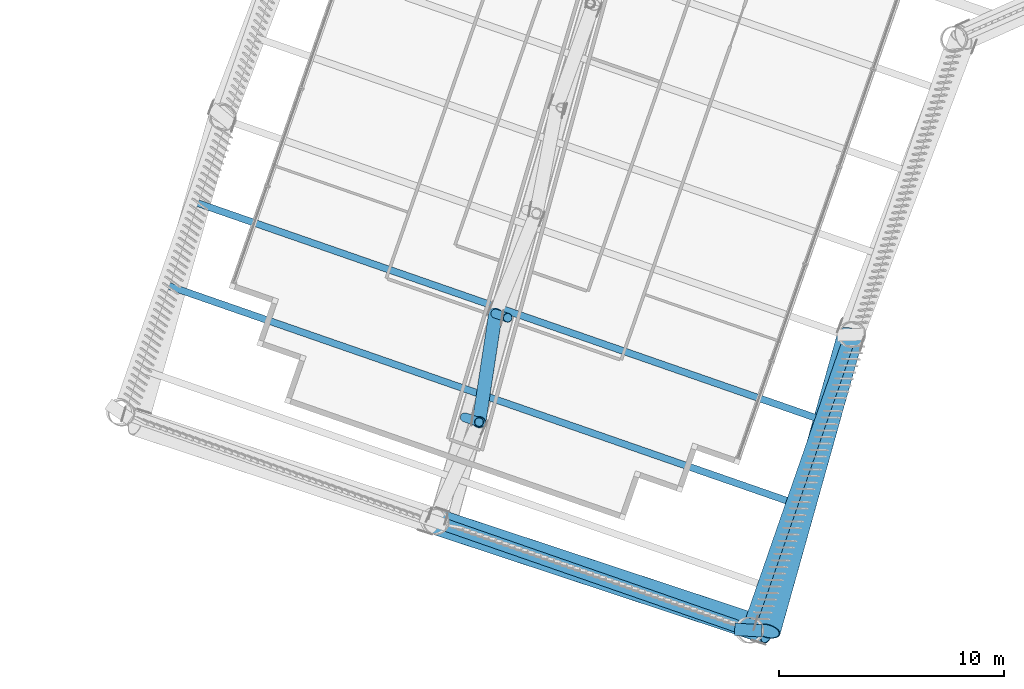
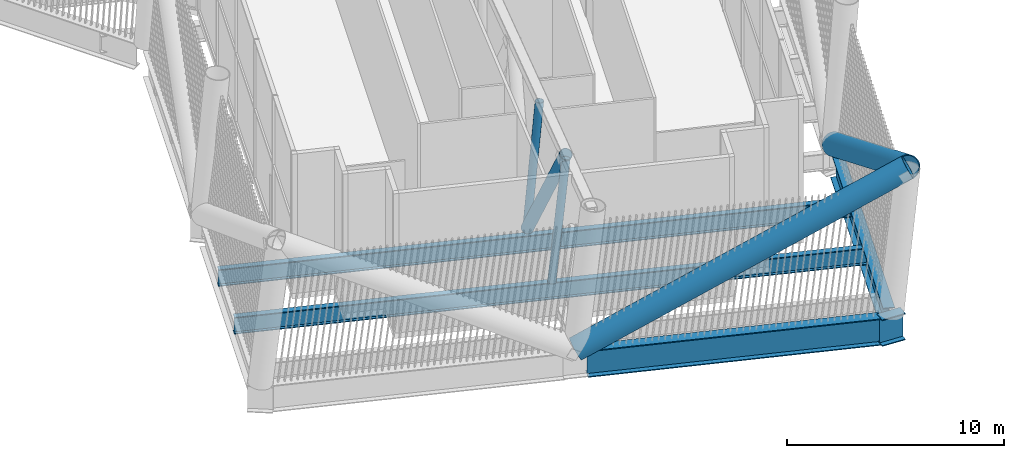
# One storey, part 4 of 63: 5 beams, 5 members.
"""IFC4 building model written with IfcOpenShell, lengths in metres."""

from ifc_helpers import new_model, si_unit, direction, frame, origin, origin_2d, place, context, subcontext, project, spatial, hollow_circle, i_section, extrude, material, material_profile, profile_set, type_object, element, save


model = new_model("IFC4")

# Units and contexts
model_context = context("Model", 3, precision=1e-05, world=origin(), true_north=direction((0.0, 1.0)))
body_context = subcontext(model_context, "Body", "Model", "MODEL_VIEW")
ifc_project = project(units=[si_unit("LENGTHUNIT", "METRE"), si_unit("AREAUNIT", "SQUARE_METRE"), si_unit("VOLUMEUNIT", "CUBIC_METRE"), si_unit("PLANEANGLEUNIT", "RADIAN"), si_unit("MASSUNIT", "GRAM", prefix="KILO")], contexts=[model_context])

# Site, building, storey
site_placement = place(None, origin())
site = spatial("IfcSite", under=ifc_project, at=site_placement, CompositionType="ELEMENT")
building_placement = place(site_placement, origin())
building = spatial("IfcBuilding", under=site, at=building_placement, Name="Tarsis Ring Headquarters", CompositionType="ELEMENT")
storey_placement = place(building_placement, frame((0.0, 0.0, 139.60009765625)))
storey = spatial("IfcBuildingStorey", under=building, at=storey_placement, Name="L32", CompositionType="ELEMENT", Elevation=139.60009765625)

# Beams
ifc_material = material(Name="Structural steel S355", Category="steel")
ifc_material_profile_1 = material_profile(ifc_material, i_section(OverallWidth=0.309814453125, OverallDepth=0.949951171875, WebThickness=0.0244140625, FlangeThickness=0.0439453125, at=origin_2d()), Name="W36x256")
ifc_profile_set_1 = profile_set([ifc_material_profile_1], Name="Structural steel S355")
beam_type_1 = type_object("IfcBeamType", Name="FB Floor beam W36x256", PredefinedType="JOIST", material=ifc_profile_set_1)
for number, where, z_axis, x_axis, name in (
    (1, (-28.140625, -35.63818359375, -0.775146484375), (0.94460616268, -0.328206028933, 0.0), (0.328206028933, 0.94460616268, 0.0), "Floor beam FB11"),
    (2, (-29.420654296875, -39.322265625, -0.775146484375), (0.94460616268, -0.328206028933, 0.0), (0.328206028933, 0.94460616268, 0.0), "Floor beam FB11"),
):
    element("IfcBeam", number, at=place(storey_placement, frame(where, z_axis=z_axis, x_axis=x_axis)), inside=storey, type_object=beam_type_1, Name=name, PredefinedType="JOIST", context=body_context, shape_type="SweptSolid", body=[
        extrude(i_section(OverallWidth=0.309814453125, OverallDepth=0.949951171875, WebThickness=0.0244140625, FlangeThickness=0.0439453125, at=origin_2d()), origin(), (0.0, 0.0, 1.0), 29.770263671875),
    ])

# Members
ifc_material_profile_2 = material_profile(ifc_material, hollow_circle(Radius=0.3046875, WallThickness=0.02490234375, at=origin_2d()), Name="CHS 610x25")
ifc_profile_set_2 = profile_set([ifc_material_profile_2], Name="Structural steel S355")
member_type_1 = type_object("IfcMemberType", Name="OD Outrigger diagonal CHS 610x25", PredefinedType="BRACE", material=ifc_profile_set_2)
member_1_placement = place(storey_placement, frame((-14.578369140625, -40.662841796875, 0.25390625), z_axis=(-0.083218529745, -0.547712095505, 0.832517949803), x_axis=(0.988653433387, -0.150214475505, 0.0)))
element("IfcMember", 3, at=member_1_placement, inside=storey, type_object=member_type_1, Name="Outrigger diagonal OD1", PredefinedType="BRACE", context=body_context, shape_type="SweptSolid", body=[
    extrude(hollow_circle(Radius=0.3046875, WallThickness=0.02490234375, at=origin_2d()), origin(), (0.0, 0.0, 1.0), 8.80712890625),
])
ifc_material_profile_3 = material_profile(ifc_material, hollow_circle(Radius=0.203125, WallThickness=0.01611328125, at=origin_2d()), Name="CHS 406x16")
ifc_profile_set_3 = profile_set([ifc_material_profile_3], Name="Structural steel S355")
member_type_2 = type_object("IfcMemberType", Name="OV Outrigger post CHS 406x16", PredefinedType="STRUT", material=ifc_profile_set_3)
member_2_placement = place(storey_placement, frame((-14.578369140625, -40.662841796875, 0.5078125), z_axis=(0.078863698375, -0.026703847235, 0.996527682316), x_axis=(0.320720293513, 0.947173950935, 0.0)))
element("IfcMember", 4, at=member_2_placement, inside=storey, type_object=member_type_2, Name="Outrigger post OV1", PredefinedType="STRUT", context=body_context, shape_type="SweptSolid", body=[
    extrude(hollow_circle(Radius=0.203125, WallThickness=0.01611328125, at=origin_2d()), origin(), (0.0, 0.0, 1.0), 6.84765625),
])
member_3_placement = place(storey_placement, frame((-15.94140625, -45.273193359375, 0.5078125), z_axis=(0.091904448641, -0.031121459943, 0.995281380842), x_axis=(0.32073800516, 0.947167953452, 0.0)))
element("IfcMember", 5, at=member_3_placement, inside=storey, type_object=member_type_2, Name="Outrigger post OV1", PredefinedType="STRUT", context=body_context, shape_type="SweptSolid", body=[
    extrude(hollow_circle(Radius=0.203125, WallThickness=0.01611328125, at=origin_2d()), origin(), (0.0, 0.0, 1.0), 6.8564453125),
])
ifc_material_profile_4 = material_profile(ifc_material, hollow_circle(Radius=0.584228515625, WallThickness=0.044921875, at=origin_2d()), Name="CHS 1168x45")
ifc_profile_set_4 = profile_set([ifc_material_profile_4], Name="Structural steel S355")
member_type_3 = type_object("IfcMemberType", Name="TD Belt truss diagonal CHS 1168x45", PredefinedType="BRACE", material=ifc_profile_set_4)
member_4_placement = place(storey_placement, frame((-17.329345703125, -49.875244140625, 0.0), z_axis=(0.845225026945, -0.279266598249, 0.455636720346), x_axis=(0.313724244841, 0.949514137967, 0.0)))
element("IfcMember", 6, at=member_4_placement, inside=storey, type_object=member_type_3, Name="Belt truss diagonal TD3", PredefinedType="BRACE", context=body_context, shape_type="SweptSolid", body=[
    extrude(hollow_circle(Radius=0.584228515625, WallThickness=0.044921875, at=origin_2d()), origin(), (0.0, 0.0, 1.0), 17.557861328125),
])
member_5_placement = place(storey_placement, frame((1.213623046875, -41.6005859375, 0.0), z_axis=(-0.23353692582, -0.831176489845, 0.504585123649), x_axis=(0.962720782305, -0.270497126266, 0.0)))
element("IfcMember", 7, at=member_5_placement, inside=storey, type_object=member_type_3, Name="Belt truss diagonal TD3", PredefinedType="BRACE", context=body_context, shape_type="SweptSolid", body=[
    extrude(hollow_circle(Radius=0.584228515625, WallThickness=0.044921875, at=origin_2d()), origin(), (0.0, 0.0, 1.0), 15.8544921875),
])

# Beams
ifc_material_profile_5 = material_profile(ifc_material, i_section(OverallWidth=0.550048828125, OverallDepth=1.5, WebThickness=0.030029296875, FlangeThickness=0.050048828125, at=origin_2d()), Name="PG 1500x550x30x50")
ifc_profile_set_5 = profile_set([ifc_material_profile_5], Name="Structural steel S355")
beam_type_2 = type_object("IfcBeamType", Name="XG Ring girder PG 1500x550x30x50", PredefinedType="BEAM", material=ifc_profile_set_5)
beam_1_placement = place(storey_placement, frame((-3.943359375, -54.6962890625, -0.71533203125), z_axis=(0.998135589464, -0.061035604737, 0.0), x_axis=(0.061035604737, 0.998135589464, 0.0)))
element("IfcBeam", 8, at=beam_1_placement, inside=storey, type_object=beam_type_2, Name="Ring girder XG6", PredefinedType="BEAM", context=body_context, shape_type="SweptSolid", body=[
    extrude(i_section(OverallWidth=0.550048828125, OverallDepth=1.5, WebThickness=0.030029296875, FlangeThickness=0.050048828125, at=origin_2d()), origin(), (0.0, 0.0, 1.0), 1.199951171875),
])
beam_2_placement = place(storey_placement, frame((-16.832763671875, -50.0478515625, -0.75), z_axis=(0.944608379737, -0.328199647974, 0.0), x_axis=(0.328199647974, 0.944608379737, 0.0)))
element("IfcBeam", 9, at=beam_2_placement, inside=storey, type_object=beam_type_2, Name="Ring girder XG6", PredefinedType="BEAM", context=body_context, shape_type="SweptSolid", body=[
    extrude(i_section(OverallWidth=0.550048828125, OverallDepth=1.5, WebThickness=0.030029296875, FlangeThickness=0.050048828125, at=origin_2d()), origin(), (0.0, 0.0, 1.0), 13.748291015625),
])
beam_3_placement = place(storey_placement, frame((-3.176513671875, -54.236083984375, -0.75), z_axis=(0.328194175608, 0.944610281067, 0.0), x_axis=(-0.944610281067, 0.328194175608, 0.0)))
element("IfcBeam", 10, at=beam_3_placement, inside=storey, type_object=beam_type_2, Name="Ring girder XG6", PredefinedType="BEAM", context=body_context, shape_type="SweptSolid", body=[
    extrude(i_section(OverallWidth=0.550048828125, OverallDepth=1.5, WebThickness=0.030029296875, FlangeThickness=0.050048828125, at=origin_2d()), origin(), (0.0, 0.0, 1.0), 12.850830078125),
])

save(model, "model.ifc")
